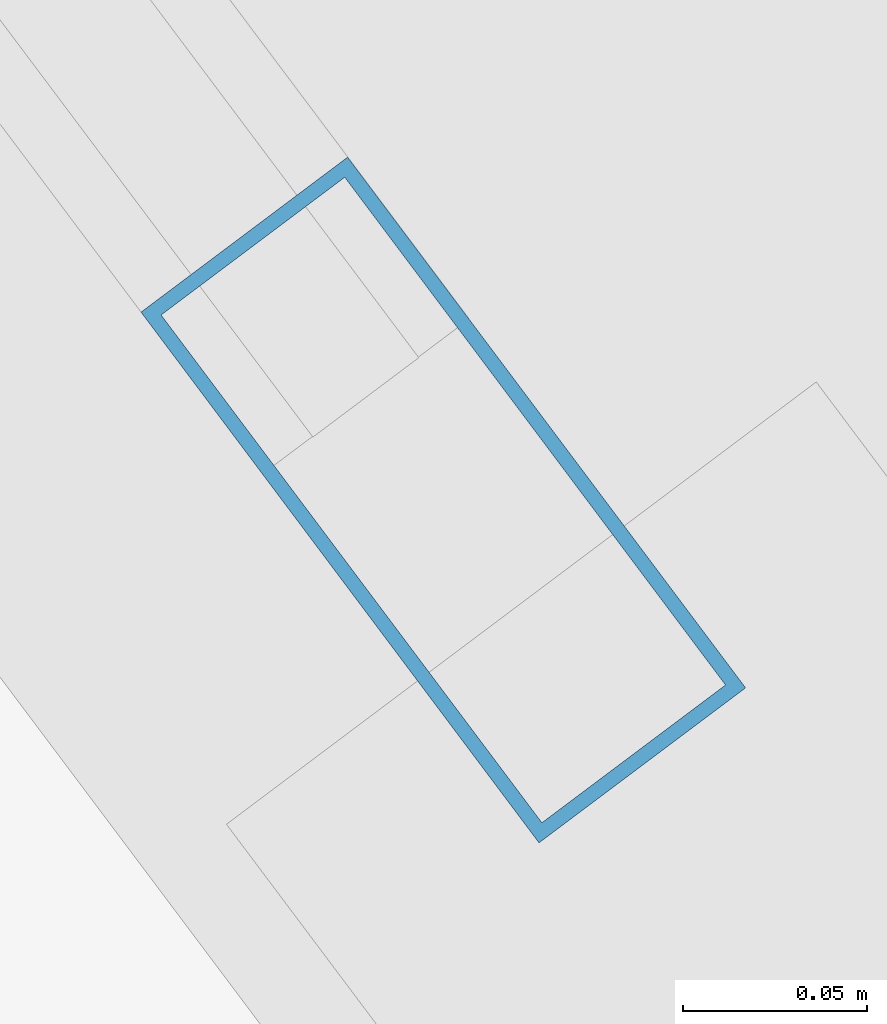
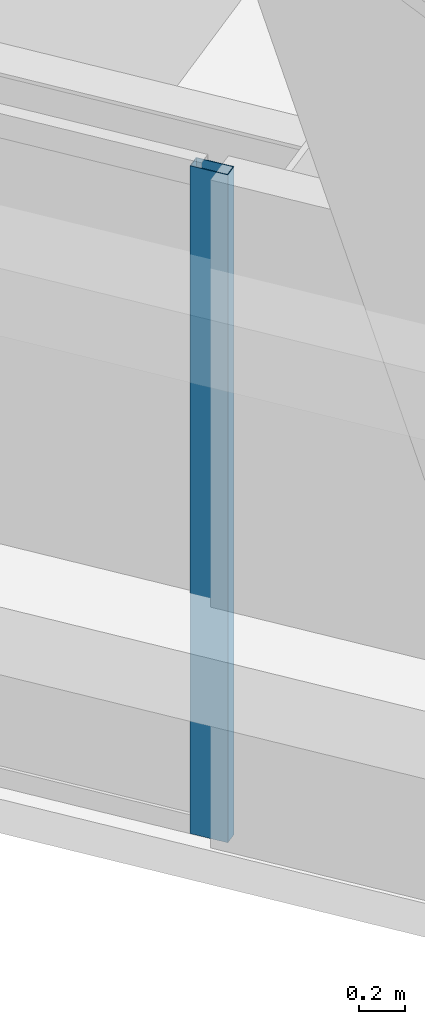
# One storey, part 21 of 55: 1 member, 1 element without a shape of its own.
"""IFC4 building model written with IfcOpenShell, lengths in metres."""

from ifc_helpers import new_model, si_unit, direction, frame, origin, origin_2d, place, context, subcontext, project, spatial, hollow_rectangle, extrude, material, material_profile, profile_set, type_object, element, aggregate, save


model = new_model("IFC4")

# Units and contexts
model_context = context("Model", 3, precision=1e-05, world=origin(), true_north=direction((0.0, 1.0)))
body_context = subcontext(model_context, "Body", "Model", "MODEL_VIEW")
ifc_project = project(units=[si_unit("LENGTHUNIT", "METRE"), si_unit("AREAUNIT", "SQUARE_METRE"), si_unit("VOLUMEUNIT", "CUBIC_METRE"), si_unit("PLANEANGLEUNIT", "RADIAN"), si_unit("MASSUNIT", "GRAM", prefix="KILO")], contexts=[model_context])

# Site, building, storey
site_placement = place(None, origin())
site = spatial("IfcSite", under=ifc_project, at=site_placement, CompositionType="ELEMENT")
building_placement = place(site_placement, origin())
building = spatial("IfcBuilding", under=site, at=building_placement, Name="Tashvorn Skyway Center", CompositionType="ELEMENT")
storey_placement = place(building_placement, frame((0.0, 0.0, 178.300048828125)))
storey = spatial("IfcBuildingStorey", under=building, at=storey_placement, Name="L48", CompositionType="ELEMENT", Elevation=178.300048828125)

# Curtain wall, member
ifc_material = material(Name="Thermally broken bronze-anodized aluminium 6063-T6", Category="aluminium")
curtain_wall_type = type_object("IfcCurtainWallType", Name="CW-CW-Z4", PredefinedType="NOTDEFINED", material=ifc_material)
curtain_wall_placement = place(storey_placement, origin())
curtain_wall = element("IfcCurtainWall", 1, at=curtain_wall_placement, inside=storey, type_object=curtain_wall_type, Name="Tower 2 L48 West Unitised Curtain Wall Glazing Group 2", PredefinedType="NOTDEFINED")
ifc_material_profile = material_profile(ifc_material, hollow_rectangle(XDim=0.070068359375, YDim=0.179931640625, WallThickness=0.00390625, at=origin_2d()), Name="ALU-MULL-70x180")
ifc_profile_set = profile_set([ifc_material_profile], Name="Thermally broken bronze-anodized aluminium 6063-T6")
member_type = type_object("IfcMemberType", Name="CWM-CW-Z4", PredefinedType="MULLION", material=ifc_profile_set)
member_placement = place(storey_placement, frame((103.470947265625, 18.072021484375, 0.0), z_axis=(0.0, 0.0, 1.0), x_axis=(-0.799999999998, -0.600000000002, 0.0)))
member = element("IfcMember", 2, at=member_placement, type_object=member_type, Name="CW-Z4 mullion 1", PredefinedType="MULLION", context=body_context, shape_type="SweptSolid", body=[
    extrude(hollow_rectangle(XDim=0.070068359375, YDim=0.179931640625, WallThickness=0.00390625, at=origin_2d()), origin(), (0.0, 0.0, 1.0), 3.550048828125),
])
aggregate(curtain_wall, [member])

save(model, "model.ifc")
